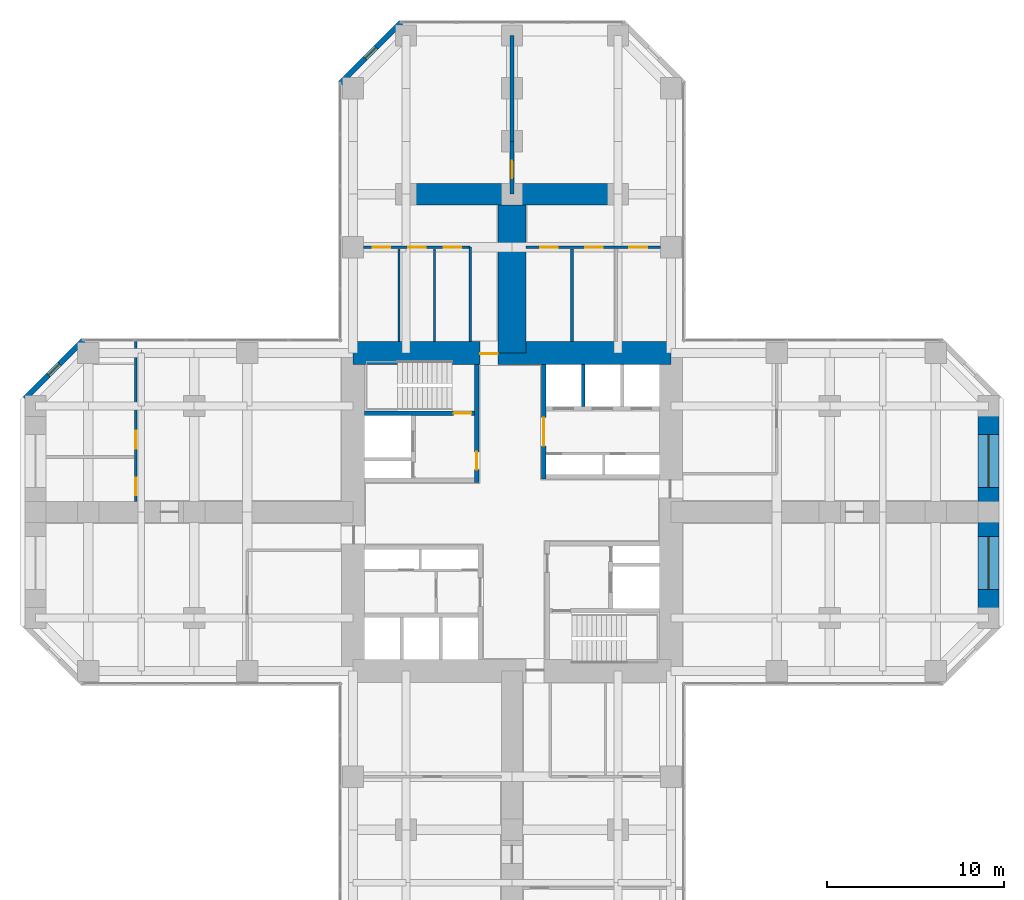
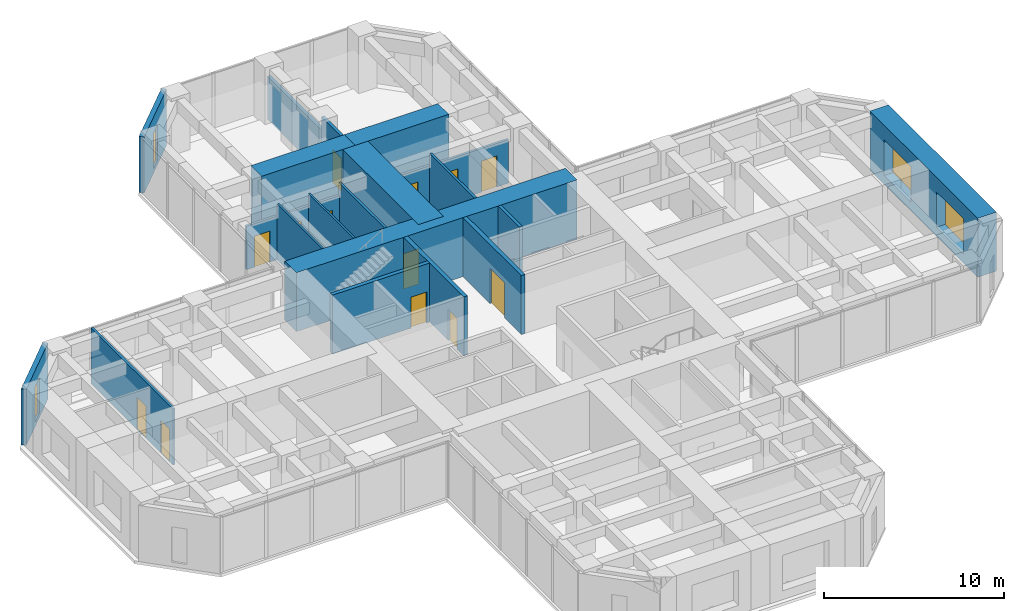
# One storey, part 10 of 12: 20 walls, 13 doors, 4 windows, 17 openings.
"""IFC4 building model written with IfcOpenShell, lengths in metres."""

from ifc_helpers import new_model, si_unit, direction, frame, frame_2d, origin, place, context, subcontext, project, spatial, rectangle, hollow_rectangle, extrude, material, layer, layer_set, constituent, constituent_set, type_object, element, fill, save


model = new_model("IFC4")

# Units and contexts
model_context = context("Model", 3, precision=1e-05, world=origin(), true_north=direction((0.0, 1.0)))
body_context = subcontext(model_context, "Body", "Model", "MODEL_VIEW")
ifc_project = project(units=[si_unit("LENGTHUNIT", "METRE"), si_unit("AREAUNIT", "SQUARE_METRE"), si_unit("VOLUMEUNIT", "CUBIC_METRE"), si_unit("PLANEANGLEUNIT", "RADIAN"), si_unit("MASSUNIT", "GRAM", prefix="KILO")], contexts=[model_context])

# Site, building, storey
site_placement = place(None, origin())
site = spatial("IfcSite", under=ifc_project, at=site_placement, CompositionType="ELEMENT")
building_placement = place(site_placement, origin())
building = spatial("IfcBuilding", under=site, at=building_placement, Name="Torre Cruceta", CompositionType="ELEMENT")
storey_placement = place(building_placement, frame((0.0, 0.0, 71.5)))
storey = spatial("IfcBuildingStorey", under=building, at=storey_placement, Name="L17", CompositionType="ELEMENT", Elevation=71.5)

# Wall, opening, door
ifc_material_1 = material(Name="Concrete G60 (fck 60 MPa)", Category="concrete")
ifc_layer_1 = layer(ifc_material_1, 0.25)
ifc_layer_set_1 = layer_set([ifc_layer_1], Name="Concrete G60 (fck 60 MPa)")
wall_type_1 = type_object("IfcWallType", Name="CORE INNER WALL 250 G60", PredefinedType="SHEAR", material=ifc_layer_set_1)
wall_1_placement = place(storey_placement, frame((1.800048828125, 1.875, 0.0), z_axis=(0.0, 0.0, 1.0), x_axis=(0.0, 1.0, 0.0)))
wall_1 = element("IfcWall", 1, at=wall_1_placement, inside=storey, type_object=wall_type_1, Name="CW4 L17 NE-CU", PredefinedType="SHEAR", context=body_context, shape_type="SweptSolid", body=[
    extrude(rectangle(XDim=6.47509765625, YDim=0.25, at=frame_2d((3.237548828125, 0.0))), origin(), (0.0, 0.0, 1.0), 4.0),
])
opening_1_placement = place(wall_1_placement, frame((1.875, 0.0, 0.0)))
opening_1 = element("IfcOpeningElement", 2, at=opening_1_placement, cuts=wall_1, Name="Opening D8", PredefinedType="OPENING", context=body_context, shape_type="SweptSolid", body=[
    extrude(rectangle(XDim=1.60009765625, YDim=2.39990234375, at=frame_2d((0.800048828125, 1.199951171875))), frame((0.0, 0.135009765625, 0.0), z_axis=(0.0, -1.0, 0.0), x_axis=(1.0, 0.0, 0.0)), (0.0, 0.0, 1.0), 0.27001953125),
])
ifc_material_2 = material(Name="Steel DX51D", Category="steel")
ifc_constituent_1 = constituent(ifc_material_2, Name="Leaf and frame")
ifc_material_3 = material(Name="Polyester powder coating", Category="paint")
ifc_constituent_2 = constituent(ifc_material_3, Name="Finish")
ifc_material_4 = material(Name="Fire-resisting glass", Category="glass")
ifc_constituent_3 = constituent(ifc_material_4, Name="Vision panel")
ifc_constituent_set_1 = constituent_set(constituents=[ifc_constituent_1, ifc_constituent_2, ifc_constituent_3], Name="Steel fire door with vision panels")
door_type_1 = type_object("IfcDoorType", Name="LIFT LOBBY DOUBLE DOOR 1600X2400", OperationType="DOUBLE_DOOR_DOUBLE_SWING", PredefinedType="DOOR", material=ifc_constituent_set_1)
door_1_placement = place(opening_1_placement, origin())
door_1 = element("IfcDoor", 3, at=door_1_placement, inside=storey, type_object=door_type_1, Name="D8 L17 NE-LOBBY", OperationType="DOUBLE_DOOR_DOUBLE_SWING", OverallHeight=2.39990234375, OverallWidth=1.60009765625, PredefinedType="DOOR", context=body_context, shape_type="SweptSolid", body=[
    extrude(rectangle(XDim=1.60009765625, YDim=2.39990234375, at=frame_2d((0.800048828125, 1.199951171875))), frame((0.0, 0.02490234375, 0.0), z_axis=(0.0, -1.0, 0.0), x_axis=(1.0, 0.0, 0.0)), (0.0, 0.0, 1.0), 0.050048828125),
])
fill(opening_1, door_1)

wall_2_placement = place(storey_placement, frame((-2.0, 1.675048828125, 0.0), z_axis=(0.0, 0.0, 1.0), x_axis=(0.0, 1.0, 0.0)))
wall_2 = element("IfcWall", 4, at=wall_2_placement, inside=storey, type_object=wall_type_1, Name="CW4 L17 NW-CU", PredefinedType="SHEAR", context=body_context, shape_type="SweptSolid", body=[
    extrude(rectangle(XDim=6.675048828125, YDim=0.25, at=frame_2d((3.33740234375, 0.0))), origin(), (0.0, 0.0, 1.0), 4.0),
])
opening_2_placement = place(wall_2_placement, frame((0.72509765625, 0.0, 0.0)))
opening_2 = element("IfcOpeningElement", 5, at=opening_2_placement, cuts=wall_2, Name="Opening D3", PredefinedType="OPENING", context=body_context, shape_type="SweptSolid", body=[
    extrude(rectangle(XDim=1.0, YDim=2.10009765625, at=frame_2d((0.5, 1.050048828125))), frame((0.0, 0.135009765625, 0.0), z_axis=(0.0, -1.0, 0.0), x_axis=(1.0, 0.0, 0.0)), (0.0, 0.0, 1.0), 0.27001953125),
])
ifc_material_5 = material(Name="Steel DX51D", Category="steel")
ifc_constituent_4 = constituent(ifc_material_5, Name="Leaf and frame")
ifc_material_6 = material(Name="Polyester powder coating", Category="paint")
ifc_constituent_5 = constituent(ifc_material_6, Name="Finish")
ifc_constituent_set_2 = constituent_set(constituents=[ifc_constituent_4, ifc_constituent_5], Name="Steel fire door")
door_type_2 = type_object("IfcDoorType", Name="FIRE DOOR 1000X2100", OperationType="SINGLE_SWING_LEFT", PredefinedType="DOOR", material=ifc_constituent_set_2)
door_2_placement = place(opening_2_placement, origin())
door_2 = element("IfcDoor", 6, at=door_2_placement, inside=storey, type_object=door_type_2, Name="D3 L17 NW-LOBBY", OperationType="SINGLE_SWING_LEFT", OverallHeight=2.10009765625, OverallWidth=1.0, PredefinedType="DOOR", context=body_context, shape_type="SweptSolid", body=[
    extrude(rectangle(XDim=1.0, YDim=2.10009765625, at=frame_2d((0.5, 1.050048828125))), frame((0.0, 0.02490234375, 0.0), z_axis=(0.0, -1.0, 0.0), x_axis=(1.0, 0.0, 0.0)), (0.0, 0.0, 1.0), 0.050048828125),
])
fill(opening_2, door_2)

wall_3_placement = place(storey_placement, frame((-2.125, 5.60009765625, 0.0), z_axis=(0.0, 0.0, 1.0), x_axis=(-1.0, 0.0, 0.0)))
wall_3 = element("IfcWall", 7, at=wall_3_placement, inside=storey, type_object=wall_type_1, Name="CW4 L17 NW-SV", PredefinedType="SHEAR", context=body_context, shape_type="SweptSolid", body=[
    extrude(rectangle(XDim=6.22509765625, YDim=0.25, at=frame_2d((3.112548828125, 0.0))), origin(), (0.0, 0.0, 1.0), 4.0),
])
opening_3_placement = place(wall_3_placement, frame((0.175048828125, 0.0, 0.0)))
opening_3 = element("IfcOpeningElement", 8, at=opening_3_placement, cuts=wall_3, Name="Opening D3", PredefinedType="OPENING", context=body_context, shape_type="SweptSolid", body=[
    extrude(rectangle(XDim=1.0, YDim=2.10009765625, at=frame_2d((0.5, 1.050048828125))), frame((0.0, 0.135009765625, 0.0), z_axis=(0.0, -1.0, 0.0), x_axis=(1.0, 0.0, 0.0)), (0.0, 0.0, 1.0), 0.27001953125),
])
door_3_placement = place(opening_3_placement, frame((1.0, 0.0, 0.0), z_axis=(0.0, 0.0, 1.0), x_axis=(-1.0, 0.0, 0.0)))
door_3 = element("IfcDoor", 9, at=door_3_placement, inside=storey, type_object=door_type_2, Name="D3 L17 NW-STAIR", OperationType="SINGLE_SWING_RIGHT", OverallHeight=2.10009765625, OverallWidth=1.0, PredefinedType="DOOR", context=body_context, shape_type="SweptSolid", body=[
    extrude(rectangle(XDim=1.0, YDim=2.10009765625, at=frame_2d((0.5, 1.050048828125))), frame((0.0, 0.025146484375, 0.0), z_axis=(0.0, -1.0, 0.0), x_axis=(1.0, 0.0, 0.0)), (0.0, 0.0, 1.0), 0.050048828125),
])
fill(opening_3, door_3)

ifc_material_7 = material(Name="Concrete G60 (fck 60 MPa)", Category="concrete")
ifc_layer_2 = layer(ifc_material_7, 1.300048828125)
ifc_layer_set_2 = layer_set([ifc_layer_2], Name="Concrete G60 (fck 60 MPa)")
wall_type_2 = type_object("IfcWallType", Name="CORE WALL 1300 G60", PredefinedType="SHEAR", material=ifc_layer_set_2)
wall_4_placement = place(storey_placement, frame((9.0, 9.0, 0.0), z_axis=(0.0, 0.0, 1.0), x_axis=(-1.0, 0.0, 0.0)))
wall_4 = element("IfcWall", 10, at=wall_4_placement, inside=storey, type_object=wall_type_2, Name="CW1 L17 CW-N", PredefinedType="SHEAR", context=body_context, shape_type="SweptSolid", body=[
    extrude(rectangle(XDim=18.0, YDim=1.300048828125, at=frame_2d((9.0, 0.0))), origin(), (0.0, 0.0, 1.0), 4.0),
])
opening_4_placement = place(wall_4_placement, frame((9.800048828125, 0.0, 0.0)))
opening_4 = element("IfcOpeningElement", 11, at=opening_4_placement, cuts=wall_4, Name="Opening D4", PredefinedType="OPENING", context=body_context, shape_type="SweptSolid", body=[
    extrude(rectangle(XDim=1.0, YDim=2.39990234375, at=frame_2d((0.5, 1.199951171875))), frame((0.0, 0.659912109375, 0.0), z_axis=(0.0, -1.0, 0.0), x_axis=(1.0, 0.0, 0.0)), (0.0, 0.0, 1.0), 1.320068359375),
])
ifc_material_8 = material(Name="Steel DX51D", Category="steel")
ifc_constituent_6 = constituent(ifc_material_8, Name="Leaf and frame")
ifc_material_9 = material(Name="Polyester powder coating", Category="paint")
ifc_constituent_7 = constituent(ifc_material_9, Name="Finish")
ifc_constituent_set_3 = constituent_set(constituents=[ifc_constituent_6, ifc_constituent_7], Name="Steel fire door")
door_type_3 = type_object("IfcDoorType", Name="CORE ARM DOOR 1000X2400", OperationType="SINGLE_SWING_RIGHT", PredefinedType="DOOR", material=ifc_constituent_set_3)
door_4_placement = place(opening_4_placement, frame((1.0, 0.0, 0.0), z_axis=(0.0, 0.0, 1.0), x_axis=(-1.0, 0.0, 0.0)))
door_4 = element("IfcDoor", 12, at=door_4_placement, inside=storey, type_object=door_type_3, Name="D4 L17 CW-N", OperationType="SINGLE_SWING_RIGHT", OverallHeight=2.39990234375, OverallWidth=1.0, PredefinedType="DOOR", context=body_context, shape_type="SweptSolid", body=[
    extrude(rectangle(XDim=1.0, YDim=2.39990234375, at=frame_2d((0.5, 1.199951171875))), frame((0.0, -0.005126953125, 0.0), z_axis=(0.0, -1.0, 0.0), x_axis=(1.0, 0.0, 0.0)), (0.0, 0.0, 1.0), 0.050048828125),
])
fill(opening_4, door_4)

ifc_material_10 = material(Name="Concrete G25 (fck 25 MPa)", Category="concrete")
ifc_layer_3 = layer(ifc_material_10, 0.199951171875)
ifc_layer_set_3 = layer_set([ifc_layer_3], Name="Concrete G25 (fck 25 MPa)")
wall_type_3 = type_object("IfcWallType", Name="CORRIDOR WALL 200", PredefinedType="SOLIDWALL", material=ifc_layer_set_3)
wall_5_placement = place(storey_placement, frame((0.0, 18.0, 0.0), z_axis=(0.0, 0.0, 1.0), x_axis=(0.0, 1.0, 0.0)))
wall_5 = element("IfcWall", 13, at=wall_5_placement, inside=storey, type_object=wall_type_3, Name="PT3 spine line L17 N", PredefinedType="SOLIDWALL", context=body_context, shape_type="SweptSolid", body=[
    extrude(rectangle(XDim=3.0, YDim=0.199951171875, at=frame_2d((1.5, 0.0))), origin(), (0.0, 0.0, 1.0), 3.800048828125),
])
opening_5_placement = place(wall_5_placement, frame((0.89990234375, 0.0, 0.0)))
opening_5 = element("IfcOpeningElement", 14, at=opening_5_placement, cuts=wall_5, Name="Opening D14", PredefinedType="OPENING", context=body_context, shape_type="SweptSolid", body=[
    extrude(rectangle(XDim=1.0, YDim=2.199951171875, at=frame_2d((0.5, 1.10009765625))), frame((0.0, 0.10986328125, 0.0), z_axis=(0.0, -1.0, 0.0), x_axis=(1.0, 0.0, 0.0)), (0.0, 0.0, 1.0), 0.219970703125),
])
ifc_material_11 = material(Name="Steel DX51D", Category="steel")
ifc_constituent_8 = constituent(ifc_material_11, Name="Leaf and frame")
ifc_material_12 = material(Name="Polyester powder coating", Category="paint")
ifc_constituent_9 = constituent(ifc_material_12, Name="Finish")
ifc_material_13 = material(Name="Fire-resisting glass", Category="glass")
ifc_constituent_10 = constituent(ifc_material_13, Name="Vision panel")
ifc_constituent_set_4 = constituent_set(constituents=[ifc_constituent_8, ifc_constituent_9, ifc_constituent_10], Name="Steel fire door with vision panel")
door_type_4 = type_object("IfcDoorType", Name="FIRE DOOR VISION PANEL 1000X2200", OperationType="SINGLE_SWING_RIGHT", PredefinedType="DOOR", material=ifc_constituent_set_4)
door_5_placement = place(opening_5_placement, frame((1.0, 0.0, 0.0), z_axis=(0.0, 0.0, 1.0), x_axis=(-1.0, 0.0, 0.0)))
door_5 = element("IfcDoor", 15, at=door_5_placement, inside=storey, type_object=door_type_4, Name="D14 L17-N-SP1", OperationType="SINGLE_SWING_RIGHT", OverallHeight=2.199951171875, OverallWidth=1.0, PredefinedType="DOOR", context=body_context, shape_type="SweptSolid", body=[
    extrude(rectangle(XDim=1.0, YDim=2.199951171875, at=frame_2d((0.5, 1.10009765625))), frame((0.0, 0.025146484375, 0.0), z_axis=(0.0, -1.0, 0.0), x_axis=(1.0, 0.0, 0.0)), (0.0, 0.0, 1.0), 0.050048828125),
])
fill(opening_5, door_5)

# Walls
wall_6_placement = place(storey_placement, frame((0.0, 21.0, 0.0), z_axis=(0.0, 0.0, 1.0), x_axis=(0.0, 1.0, 0.0)))
element("IfcWall", 16, at=wall_6_placement, inside=storey, type_object=wall_type_3, Name="PT3 spine line L17 N 2", PredefinedType="SOLIDWALL", context=body_context, shape_type="SweptSolid", body=[
    extrude(rectangle(XDim=6.0, YDim=0.199951171875, at=frame_2d((3.0, 0.0))), origin(), (0.0, 0.0, 1.0), 2.89990234375),
])
ifc_material_14 = material(Name="Concrete G60 (fck 60 MPa)", Category="concrete")
ifc_layer_4 = layer(ifc_material_14, 1.199951171875)
ifc_layer_set_4 = layer_set([ifc_layer_4], Name="Concrete G60 (fck 60 MPa)")
wall_type_4 = type_object("IfcWallType", Name="CROSS WALL 1200 G60", PredefinedType="SHEAR", material=ifc_layer_set_4)
for number, where, z_axis, x_axis, name in (
    (17, (0.0, 18.0, 0.0), (0.0, 0.0, 1.0), (-1.0, 0.0, 0.0), "XW1 cross wall L17 N L"),
    (18, (0.0, 18.0, 0.0), (0.0, 0.0, 1.0), (1.0, 0.0, 0.0), "XW1 cross wall L17 N R"),
):
    element("IfcWall", number, at=place(storey_placement, frame(where, z_axis=z_axis, x_axis=x_axis)), inside=storey, type_object=wall_type_4, Name=name, PredefinedType="SHEAR", context=body_context, shape_type="SweptSolid", body=[
        extrude(rectangle(XDim=6.0, YDim=1.199951171875, at=frame_2d((3.0, 0.0))), origin(), (0.0, 0.0, 1.0), 4.0),
    ])

# Wall, opening, window
ifc_material_15 = material(Name="Concrete G30 (fck 30 MPa)", Category="concrete")
ifc_layer_5 = layer(ifc_material_15, 0.300048828125)
ifc_layer_set_5 = layer_set([ifc_layer_5], Name="Concrete G30 (fck 30 MPa)")
wall_type_5 = type_object("IfcWallType", Name="EXPOSED CONCRETE FACADE WALL 300", PredefinedType="SOLIDWALL", material=ifc_layer_set_5)
wall_7_placement = place(storey_placement, frame((-6.29833984375, 27.719970703125, 0.0), z_axis=(0.0, 0.0, 1.0), x_axis=(-0.707106781187, -0.707106781187, 0.0)))
wall_7 = element("IfcWall", 19, at=wall_7_placement, inside=storey, type_object=wall_type_5, Name="EW1 facade wall L17 N chamfer 08", PredefinedType="SOLIDWALL", context=body_context, shape_type="SweptSolid", body=[
    extrude(rectangle(XDim=4.8388671875, YDim=0.300048828125, at=frame_2d((2.41943359375, 0.0))), origin(), (0.0, 0.0, 1.0), 3.800048828125),
])
opening_6_placement = place(wall_7_placement, frame((1.969482421875, 0.0, 0.300048828125)))
opening_6 = element("IfcOpeningElement", 20, at=opening_6_placement, cuts=wall_7, Name="Opening WN5", PredefinedType="OPENING", context=body_context, shape_type="SweptSolid", body=[
    extrude(rectangle(XDim=0.89990234375, YDim=2.39990234375, at=frame_2d((0.449951171875, 1.199951171875))), frame((0.0, 0.159912109375, 0.0), z_axis=(0.0, -1.0, 0.0), x_axis=(1.0, 0.0, 0.0)), (0.0, 0.0, 1.0), 0.320068359375),
])
ifc_material_16 = material(Name="Aluminium window frame", Category="aluminium")
ifc_constituent_11 = constituent(ifc_material_16, Name="Frame")
ifc_material_17 = material(Name="Laminated insulating glass unit, low-iron clear", Category="glass")
ifc_constituent_12 = constituent(ifc_material_17, Name="Glazing")
ifc_constituent_set_5 = constituent_set(constituents=[ifc_constituent_11, ifc_constituent_12], Name="Aluminium window")
window_type_1 = type_object("IfcWindowType", Name="CHAMFER SLOT WINDOW 900X2400", PartitioningType="SINGLE_PANEL", PredefinedType="WINDOW", material=ifc_constituent_set_5)
window_1_placement = place(opening_6_placement, origin())
window_1 = element("IfcWindow", 21, at=window_1_placement, inside=storey, type_object=window_type_1, Name="WN5 L17 N 1", OverallHeight=2.39990234375, OverallWidth=0.89990234375, PartitioningType="SINGLE_PANEL", PredefinedType="WINDOW", context=body_context, shape_type="SweptSolid", body=[
    extrude(hollow_rectangle(XDim=0.89990234375, YDim=2.39990234375, WallThickness=0.06005859375, at=frame_2d((0.449951171875, 1.199951171875))), frame((0.0, 0.030029296875, 0.0), z_axis=(0.0, -1.0, 0.0), x_axis=(1.0, 0.0, 0.0)), (0.0, 0.0, 1.0), 0.06005859375),
    extrude(rectangle(XDim=0.77880859375, YDim=2.27880859375, at=frame_2d((0.449951171875, 1.199951171875))), frame((0.0, 0.030029296875, 0.0), z_axis=(0.0, -1.0, 0.0), x_axis=(1.0, 0.0, 0.0)), (0.0, 0.0, 1.0), 0.06005859375),
])
fill(opening_6, window_1)

wall_8_placement = place(storey_placement, frame((-24.29833984375, 9.719970703125, 0.0), z_axis=(0.0, 0.0, 1.0), x_axis=(-0.707106781187, -0.707106781187, 0.0)))
wall_8 = element("IfcWall", 22, at=wall_8_placement, inside=storey, type_object=wall_type_5, Name="EW1 facade wall L17 W chamfer 11", PredefinedType="SOLIDWALL", context=body_context, shape_type="SweptSolid", body=[
    extrude(rectangle(XDim=4.66943359375, YDim=0.300048828125, at=frame_2d((2.334716796875, 0.0))), origin(), (0.0, 0.0, 1.0), 3.800048828125),
])
opening_7_placement = place(wall_8_placement, frame((1.884765625, 0.0, 0.300048828125)))
opening_7 = element("IfcOpeningElement", 23, at=opening_7_placement, cuts=wall_8, Name="Opening WN5", PredefinedType="OPENING", context=body_context, shape_type="SweptSolid", body=[
    extrude(rectangle(XDim=0.89990234375, YDim=2.39990234375, at=frame_2d((0.449951171875, 1.199951171875))), frame((0.0, 0.159912109375, 0.0), z_axis=(0.0, -1.0, 0.0), x_axis=(1.0, 0.0, 0.0)), (0.0, 0.0, 1.0), 0.320068359375),
])
window_2_placement = place(opening_7_placement, origin())
window_2 = element("IfcWindow", 24, at=window_2_placement, inside=storey, type_object=window_type_1, Name="WN5 L17 W 1", OverallHeight=2.39990234375, OverallWidth=0.89990234375, PartitioningType="SINGLE_PANEL", PredefinedType="WINDOW", context=body_context, shape_type="SweptSolid", body=[
    extrude(hollow_rectangle(XDim=0.89990234375, YDim=2.39990234375, WallThickness=0.06005859375, at=frame_2d((0.449951171875, 1.199951171875))), frame((0.0, 0.030029296875, 0.0), z_axis=(0.0, -1.0, 0.0), x_axis=(1.0, 0.0, 0.0)), (0.0, 0.0, 1.0), 0.06005859375),
    extrude(rectangle(XDim=0.77880859375, YDim=2.27880859375, at=frame_2d((0.449951171875, 1.199951171875))), frame((0.0, 0.030029296875, 0.0), z_axis=(0.0, -1.0, 0.0), x_axis=(1.0, 0.0, 0.0)), (0.0, 0.0, 1.0), 0.06005859375),
])
fill(opening_7, window_2)

# Wall
ifc_material_18 = material(Name="Concrete G35 (fck 35 MPa)", Category="concrete")
ifc_layer_6 = layer(ifc_material_18, 0.199951171875)
ifc_layer_set_6 = layer_set([ifc_layer_6], Name="Concrete G35 (fck 35 MPa)")
wall_type_6 = type_object("IfcWallType", Name="LIFT SHAFT WALL 200", PredefinedType="PARTITIONING", material=ifc_layer_set_6)
wall_9_placement = place(storey_placement, frame((4.033447265625, 5.97509765625, 0.0), z_axis=(0.0, 0.0, 1.0), x_axis=(0.0, 1.0, 0.0)))
element("IfcWall", 25, at=wall_9_placement, inside=storey, type_object=wall_type_6, Name="SW1 L17 NE-LS1", PredefinedType="PARTITIONING", context=body_context, shape_type="SweptSolid", body=[
    extrude(rectangle(XDim=2.375, YDim=0.199951171875, at=frame_2d((1.1875, 0.0))), origin(), (0.0, 0.0, 1.0), 4.0),
])

# Wall, openings, windows
ifc_material_19 = material(Name="Concrete G60 (fck 60 MPa)", Category="concrete")
ifc_layer_7 = layer(ifc_material_19, 1.199951171875)
ifc_layer_set_7 = layer_set([ifc_layer_7], Name="Concrete G60 (fck 60 MPa)")
wall_type_7 = type_object("IfcWallType", Name="NOSE WALL 1200 G60", PredefinedType="SHEAR", material=ifc_layer_set_7)
wall_10_placement = place(storey_placement, frame((27.0, -6.0, 0.0), z_axis=(0.0, 0.0, 1.0), x_axis=(0.0, 1.0, 0.0)))
wall_10 = element("IfcWall", 26, at=wall_10_placement, inside=storey, type_object=wall_type_7, Name="NW1 nose wall L17 E", PredefinedType="SHEAR", context=body_context, shape_type="SweptSolid", body=[
    extrude(rectangle(XDim=12.0, YDim=1.199951171875, at=frame_2d((6.0, 0.0))), origin(), (0.0, 0.0, 1.0), 4.0),
])
opening_8_placement = place(wall_10_placement, frame((1.60009765625, 0.0, 0.60009765625)))
opening_8 = element("IfcOpeningElement", 27, at=opening_8_placement, cuts=wall_10, Name="Opening WN6", PredefinedType="OPENING", context=body_context, shape_type="SweptSolid", body=[
    extrude(rectangle(XDim=3.0, YDim=2.39990234375, at=frame_2d((1.5, 1.199951171875))), frame((0.0, 0.60986328125, 0.0), z_axis=(0.0, -1.0, 0.0), x_axis=(1.0, 0.0, 0.0)), (0.0, 0.0, 1.0), 1.219970703125),
])
opening_9_placement = place(wall_10_placement, frame((7.39990234375, 0.0, 0.60009765625)))
opening_9 = element("IfcOpeningElement", 28, at=opening_9_placement, cuts=wall_10, Name="Opening WN6", PredefinedType="OPENING", context=body_context, shape_type="SweptSolid", body=[
    extrude(rectangle(XDim=3.0, YDim=2.39990234375, at=frame_2d((1.5, 1.199951171875))), frame((0.0, 0.60986328125, 0.0), z_axis=(0.0, -1.0, 0.0), x_axis=(1.0, 0.0, 0.0)), (0.0, 0.0, 1.0), 1.219970703125),
])
ifc_material_20 = material(Name="Aluminium window frame", Category="aluminium")
ifc_constituent_13 = constituent(ifc_material_20, Name="Frame")
ifc_material_21 = material(Name="Laminated insulating glass unit, low-iron clear", Category="glass")
ifc_constituent_14 = constituent(ifc_material_21, Name="Glazing")
ifc_constituent_set_6 = constituent_set(constituents=[ifc_constituent_13, ifc_constituent_14], Name="Aluminium window")
window_type_2 = type_object("IfcWindowType", Name="NOSE WALL WINDOW 3000X2400", PartitioningType="SINGLE_PANEL", PredefinedType="WINDOW", material=ifc_constituent_set_6)
window_3_placement = place(opening_8_placement, origin())
window_3 = element("IfcWindow", 29, at=window_3_placement, inside=storey, type_object=window_type_2, Name="WN6 L17 E 1", OverallHeight=2.39990234375, OverallWidth=3.0, PartitioningType="SINGLE_PANEL", PredefinedType="WINDOW", context=body_context, shape_type="SweptSolid", body=[
    extrude(hollow_rectangle(XDim=3.0, YDim=2.39990234375, WallThickness=0.06005859375, at=frame_2d((1.5, 1.199951171875))), frame((0.0, 0.030029296875, 0.0), z_axis=(0.0, -1.0, 0.0), x_axis=(1.0, 0.0, 0.0)), (0.0, 0.0, 1.0), 0.06005859375),
    extrude(rectangle(XDim=2.87890625, YDim=2.27880859375, at=frame_2d((1.5, 1.199951171875))), frame((0.0, 0.030029296875, 0.0), z_axis=(0.0, -1.0, 0.0), x_axis=(1.0, 0.0, 0.0)), (0.0, 0.0, 1.0), 0.06005859375),
])
fill(opening_8, window_3)
window_4_placement = place(opening_9_placement, origin())
window_4 = element("IfcWindow", 30, at=window_4_placement, inside=storey, type_object=window_type_2, Name="WN6 L17 E 2", OverallHeight=2.39990234375, OverallWidth=3.0, PartitioningType="SINGLE_PANEL", PredefinedType="WINDOW", context=body_context, shape_type="SweptSolid", body=[
    extrude(hollow_rectangle(XDim=3.0, YDim=2.39990234375, WallThickness=0.06005859375, at=frame_2d((1.5, 1.199951171875))), frame((0.0, 0.030029296875, 0.0), z_axis=(0.0, -1.0, 0.0), x_axis=(1.0, 0.0, 0.0)), (0.0, 0.0, 1.0), 0.06005859375),
    extrude(rectangle(XDim=2.87890625, YDim=2.27880859375, at=frame_2d((1.5, 1.199951171875))), frame((0.0, 0.030029296875, 0.0), z_axis=(0.0, -1.0, 0.0), x_axis=(1.0, 0.0, 0.0)), (0.0, 0.0, 1.0), 0.06005859375),
])
fill(opening_9, window_4)

# Wall, openings, doors
ifc_material_22 = material(Name="Plasterboard on steel studs", Category="steel")
ifc_layer_8 = layer(ifc_material_22, 0.14990234375)
ifc_layer_set_8 = layer_set([ifc_layer_8], Name="Plasterboard on steel studs")
wall_type_8 = type_object("IfcWallType", Name="PARTITION 150", PredefinedType="PARTITIONING", material=ifc_layer_set_8)
wall_11_placement = place(storey_placement, frame((-2.375, 15.0, 0.0), z_axis=(0.0, 0.0, 1.0), x_axis=(-1.0, 0.0, 0.0)))
wall_11 = element("IfcWall", 31, at=wall_11_placement, inside=storey, type_object=wall_type_8, Name="PT1 L17-N-BFL", PredefinedType="PARTITIONING", context=body_context, shape_type="SweptSolid", body=[
    extrude(rectangle(XDim=6.02490234375, YDim=0.14990234375, at=frame_2d((3.012451171875, 0.0))), origin(), (0.0, 0.0, 1.0), 2.949951171875),
])
opening_10_placement = place(wall_11_placement, frame((0.504150390625, 0.0, 0.0)))
opening_10 = element("IfcOpeningElement", 32, at=opening_10_placement, cuts=wall_11, Name="Opening D3", PredefinedType="OPENING", context=body_context, shape_type="SweptSolid", body=[
    extrude(rectangle(XDim=1.0, YDim=2.10009765625, at=frame_2d((0.5, 1.050048828125))), frame((0.0, 0.0849609375, 0.0), z_axis=(0.0, -1.0, 0.0), x_axis=(1.0, 0.0, 0.0)), (0.0, 0.0, 1.0), 0.169921875),
])
opening_11_placement = place(wall_11_placement, frame((2.512451171875, 0.0, 0.0)))
opening_11 = element("IfcOpeningElement", 33, at=opening_11_placement, cuts=wall_11, Name="Opening D3", PredefinedType="OPENING", context=body_context, shape_type="SweptSolid", body=[
    extrude(rectangle(XDim=1.0, YDim=2.10009765625, at=frame_2d((0.5, 1.050048828125))), frame((0.0, 0.0849609375, 0.0), z_axis=(0.0, -1.0, 0.0), x_axis=(1.0, 0.0, 0.0)), (0.0, 0.0, 1.0), 0.169921875),
])
opening_12_placement = place(wall_11_placement, frame((4.520751953125, 0.0, 0.0)))
opening_12 = element("IfcOpeningElement", 34, at=opening_12_placement, cuts=wall_11, Name="Opening D3", PredefinedType="OPENING", context=body_context, shape_type="SweptSolid", body=[
    extrude(rectangle(XDim=1.0, YDim=2.10009765625, at=frame_2d((0.5, 1.050048828125))), frame((0.0, 0.0849609375, 0.0), z_axis=(0.0, -1.0, 0.0), x_axis=(1.0, 0.0, 0.0)), (0.0, 0.0, 1.0), 0.169921875),
])
door_6_placement = place(opening_10_placement, origin())
door_6 = element("IfcDoor", 35, at=door_6_placement, inside=storey, type_object=door_type_2, Name="D3 L17-N-BFL-D1", OperationType="SINGLE_SWING_LEFT", OverallHeight=2.10009765625, OverallWidth=1.0, PredefinedType="DOOR", context=body_context, shape_type="SweptSolid", body=[
    extrude(rectangle(XDim=1.0, YDim=2.10009765625, at=frame_2d((0.5, 1.050048828125))), frame((0.0, 0.02490234375, 0.0), z_axis=(0.0, -1.0, 0.0), x_axis=(1.0, 0.0, 0.0)), (0.0, 0.0, 1.0), 0.050048828125),
])
fill(opening_10, door_6)
door_7_placement = place(opening_11_placement, origin())
door_7 = element("IfcDoor", 36, at=door_7_placement, inside=storey, type_object=door_type_2, Name="D3 L17-N-BFL-D2", OperationType="SINGLE_SWING_LEFT", OverallHeight=2.10009765625, OverallWidth=1.0, PredefinedType="DOOR", context=body_context, shape_type="SweptSolid", body=[
    extrude(rectangle(XDim=1.0, YDim=2.10009765625, at=frame_2d((0.5, 1.050048828125))), frame((0.0, 0.02490234375, 0.0), z_axis=(0.0, -1.0, 0.0), x_axis=(1.0, 0.0, 0.0)), (0.0, 0.0, 1.0), 0.050048828125),
])
fill(opening_11, door_7)
door_8_placement = place(opening_12_placement, origin())
door_8 = element("IfcDoor", 37, at=door_8_placement, inside=storey, type_object=door_type_2, Name="D3 L17-N-BFL-D3", OperationType="SINGLE_SWING_LEFT", OverallHeight=2.10009765625, OverallWidth=1.0, PredefinedType="DOOR", context=body_context, shape_type="SweptSolid", body=[
    extrude(rectangle(XDim=1.0, YDim=2.10009765625, at=frame_2d((0.5, 1.050048828125))), frame((0.0, 0.02490234375, 0.0), z_axis=(0.0, -1.0, 0.0), x_axis=(1.0, 0.0, 0.0)), (0.0, 0.0, 1.0), 0.050048828125),
])
fill(opening_12, door_8)

# Wall
wall_12_placement = place(storey_placement, frame((-2.375, 9.64990234375, 0.0), z_axis=(0.0, 0.0, 1.0), x_axis=(0.0, 1.0, 0.0)))
element("IfcWall", 38, at=wall_12_placement, inside=storey, type_object=wall_type_8, Name="PT1 L17-N-BSL", PredefinedType="PARTITIONING", context=body_context, shape_type="SweptSolid", body=[
    extrude(rectangle(XDim=5.35009765625, YDim=0.14990234375, at=frame_2d((2.675048828125, 0.0))), origin(), (0.0, 0.0, 1.0), 3.800048828125),
])

# Wall, openings, doors
wall_13_placement = place(storey_placement, frame((8.39990234375, 15.0, 0.0), z_axis=(0.0, 0.0, 1.0), x_axis=(-1.0, 0.0, 0.0)))
wall_13 = element("IfcWall", 39, at=wall_13_placement, inside=storey, type_object=wall_type_8, Name="PT1 L17-N-BFR", PredefinedType="PARTITIONING", context=body_context, shape_type="SweptSolid", body=[
    extrude(rectangle(XDim=7.599853515625, YDim=0.14990234375, at=frame_2d((3.7998046875, 0.0))), origin(), (0.0, 0.0, 1.0), 2.949951171875),
])
opening_13_placement = place(wall_13_placement, frame((0.75, 0.0, 0.0)))
opening_13 = element("IfcOpeningElement", 40, at=opening_13_placement, cuts=wall_13, Name="Opening D3", PredefinedType="OPENING", context=body_context, shape_type="SweptSolid", body=[
    extrude(rectangle(XDim=1.0, YDim=2.10009765625, at=frame_2d((0.5, 1.050048828125))), frame((0.0, 0.0849609375, 0.0), z_axis=(0.0, -1.0, 0.0), x_axis=(1.0, 0.0, 0.0)), (0.0, 0.0, 1.0), 0.169921875),
])
opening_14_placement = place(wall_13_placement, frame((3.25, 0.0, 0.0)))
opening_14 = element("IfcOpeningElement", 41, at=opening_14_placement, cuts=wall_13, Name="Opening D3", PredefinedType="OPENING", context=body_context, shape_type="SweptSolid", body=[
    extrude(rectangle(XDim=1.0, YDim=2.10009765625, at=frame_2d((0.5, 1.050048828125))), frame((0.0, 0.0849609375, 0.0), z_axis=(0.0, -1.0, 0.0), x_axis=(1.0, 0.0, 0.0)), (0.0, 0.0, 1.0), 0.169921875),
])
opening_15_placement = place(wall_13_placement, frame((5.800048828125, 0.0, 0.0)))
opening_15 = element("IfcOpeningElement", 42, at=opening_15_placement, cuts=wall_13, Name="Opening D3", PredefinedType="OPENING", context=body_context, shape_type="SweptSolid", body=[
    extrude(rectangle(XDim=1.0, YDim=2.10009765625, at=frame_2d((0.5, 1.050048828125))), frame((0.0, 0.0849609375, 0.0), z_axis=(0.0, -1.0, 0.0), x_axis=(1.0, 0.0, 0.0)), (0.0, 0.0, 1.0), 0.169921875),
])
door_9_placement = place(opening_13_placement, origin())
door_9 = element("IfcDoor", 43, at=door_9_placement, inside=storey, type_object=door_type_2, Name="D3 L17-N-BFR-D1", OperationType="SINGLE_SWING_RIGHT", OverallHeight=2.10009765625, OverallWidth=1.0, PredefinedType="DOOR", context=body_context, shape_type="SweptSolid", body=[
    extrude(rectangle(XDim=1.0, YDim=2.10009765625, at=frame_2d((0.5, 1.050048828125))), frame((0.0, 0.02490234375, 0.0), z_axis=(0.0, -1.0, 0.0), x_axis=(1.0, 0.0, 0.0)), (0.0, 0.0, 1.0), 0.050048828125),
])
fill(opening_13, door_9)
door_10_placement = place(opening_14_placement, origin())
door_10 = element("IfcDoor", 44, at=door_10_placement, inside=storey, type_object=door_type_2, Name="D3 L17-N-BFR-D2", OperationType="SINGLE_SWING_LEFT", OverallHeight=2.10009765625, OverallWidth=1.0, PredefinedType="DOOR", context=body_context, shape_type="SweptSolid", body=[
    extrude(rectangle(XDim=1.0, YDim=2.10009765625, at=frame_2d((0.5, 1.050048828125))), frame((0.0, 0.02490234375, 0.0), z_axis=(0.0, -1.0, 0.0), x_axis=(1.0, 0.0, 0.0)), (0.0, 0.0, 1.0), 0.050048828125),
])
fill(opening_14, door_10)
door_11_placement = place(opening_15_placement, origin())
door_11 = element("IfcDoor", 45, at=door_11_placement, inside=storey, type_object=door_type_2, Name="D3 L17-N-BFR-D3", OperationType="SINGLE_SWING_LEFT", OverallHeight=2.10009765625, OverallWidth=1.0, PredefinedType="DOOR", context=body_context, shape_type="SweptSolid", body=[
    extrude(rectangle(XDim=1.0, YDim=2.10009765625, at=frame_2d((0.5, 1.050048828125))), frame((0.0, 0.02490234375, 0.0), z_axis=(0.0, -1.0, 0.0), x_axis=(1.0, 0.0, 0.0)), (0.0, 0.0, 1.0), 0.050048828125),
])
fill(opening_15, door_11)

# Wall
wall_14_placement = place(storey_placement, frame((3.39990234375, 9.64990234375, 0.0), z_axis=(0.0, 0.0, 1.0), x_axis=(0.0, 1.0, 0.0)))
element("IfcWall", 46, at=wall_14_placement, inside=storey, type_object=wall_type_8, Name="PT1 L17-N-BDR1", PredefinedType="PARTITIONING", context=body_context, shape_type="SweptSolid", body=[
    extrude(rectangle(XDim=5.25, YDim=0.14990234375, at=frame_2d((2.625, 0.0))), origin(), (0.0, 0.0, 1.0), 3.800048828125),
])

# Wall, openings, doors
wall_15_placement = place(storey_placement, frame((-21.320068359375, 9.679931640625, 0.0), z_axis=(0.0, 0.0, 1.0), x_axis=(0.0, -1.0, 0.0)))
wall_15 = element("IfcWall", 47, at=wall_15_placement, inside=storey, type_object=wall_type_8, Name="PT1 L17-W-TWR", PredefinedType="PARTITIONING", context=body_context, shape_type="SweptSolid", body=[
    extrude(rectangle(XDim=9.079833984375, YDim=0.14990234375, at=frame_2d((4.5400390625, 0.0))), origin(), (0.0, 0.0, 1.0), 3.800048828125),
])
opening_16_placement = place(wall_15_placement, frame((5.0869140625, 0.0, 0.0)))
opening_16 = element("IfcOpeningElement", 48, at=opening_16_placement, cuts=wall_15, Name="Opening D14", PredefinedType="OPENING", context=body_context, shape_type="SweptSolid", body=[
    extrude(rectangle(XDim=1.0, YDim=2.199951171875, at=frame_2d((0.5, 1.10009765625))), frame((0.0, 0.0849609375, 0.0), z_axis=(0.0, -1.0, 0.0), x_axis=(1.0, 0.0, 0.0)), (0.0, 0.0, 1.0), 0.169921875),
])
opening_17_placement = place(wall_15_placement, frame((7.72998046875, 0.0, 0.0)))
opening_17 = element("IfcOpeningElement", 49, at=opening_17_placement, cuts=wall_15, Name="Opening D14", PredefinedType="OPENING", context=body_context, shape_type="SweptSolid", body=[
    extrude(rectangle(XDim=1.0, YDim=2.199951171875, at=frame_2d((0.5, 1.10009765625))), frame((0.0, 0.0849609375, 0.0), z_axis=(0.0, -1.0, 0.0), x_axis=(1.0, 0.0, 0.0)), (0.0, 0.0, 1.0), 0.169921875),
])
door_12_placement = place(opening_16_placement, frame((1.0, 0.0, 0.0), z_axis=(0.0, 0.0, 1.0), x_axis=(-1.0, 0.0, 0.0)))
door_12 = element("IfcDoor", 50, at=door_12_placement, inside=storey, type_object=door_type_4, Name="D14 L17-W-TWR-D1", OperationType="SINGLE_SWING_LEFT", OverallHeight=2.199951171875, OverallWidth=1.0, PredefinedType="DOOR", context=body_context, shape_type="SweptSolid", body=[
    extrude(rectangle(XDim=1.0, YDim=2.199951171875, at=frame_2d((0.5, 1.10009765625))), frame((0.0, 0.025146484375, 0.0), z_axis=(0.0, -1.0, 0.0), x_axis=(1.0, 0.0, 0.0)), (0.0, 0.0, 1.0), 0.050048828125),
])
fill(opening_16, door_12)
door_13_placement = place(opening_17_placement, frame((1.0, 0.0, 0.0), z_axis=(0.0, 0.0, 1.0), x_axis=(-1.0, 0.0, 0.0)))
door_13 = element("IfcDoor", 51, at=door_13_placement, inside=storey, type_object=door_type_4, Name="D14 L17-W-TWR-D2", OperationType="SINGLE_SWING_LEFT", OverallHeight=2.199951171875, OverallWidth=1.0, PredefinedType="DOOR", context=body_context, shape_type="SweptSolid", body=[
    extrude(rectangle(XDim=1.0, YDim=2.199951171875, at=frame_2d((0.5, 1.10009765625))), frame((0.0, 0.025146484375, 0.0), z_axis=(0.0, -1.0, 0.0), x_axis=(1.0, 0.0, 0.0)), (0.0, 0.0, 1.0), 0.050048828125),
])
fill(opening_17, door_13)

# Walls
ifc_material_23 = material(Name="Concrete G60 (fck 60 MPa)", Category="concrete")
ifc_layer_9 = layer(ifc_material_23, 1.60009765625)
ifc_layer_set_9 = layer_set([ifc_layer_9], Name="Concrete G60 (fck 60 MPa)")
wall_type_9 = type_object("IfcWallType", Name="SPINE WALL 1600 G60", PredefinedType="SHEAR", material=ifc_layer_set_9)
wall_16_placement = place(storey_placement, frame((0.0, 9.0, 0.0), z_axis=(0.0, 0.0, 1.0), x_axis=(0.0, 1.0, 0.0)))
element("IfcWall", 52, at=wall_16_placement, inside=storey, type_object=wall_type_9, Name="SW2 spine wall L17 N", PredefinedType="SHEAR", context=body_context, shape_type="SweptSolid", body=[
    extrude(rectangle(XDim=9.0, YDim=1.60009765625, at=frame_2d((4.5, 0.0))), origin(), (0.0, 0.0, 1.0), 4.0),
])
ifc_material_24 = material(Name="Plasterboard on steel studs", Category="steel")
ifc_layer_10 = layer(ifc_material_24, 0.1201171875)
ifc_layer_set_10 = layer_set([ifc_layer_10], Name="Plasterboard on steel studs")
wall_type_10 = type_object("IfcWallType", Name="WC PARTITION 120", PredefinedType="PLUMBINGWALL", material=ifc_layer_set_10)
for number, where, z_axis, x_axis, name in (
    (53, (-4.38330078125, 9.64990234375, 0.0), (0.0, 0.0, 1.0), (0.0, 1.0, 0.0), "PT5 L17-N-BDL1"),
    (54, (-6.3916015625, 9.64990234375, 0.0), (0.0, 0.0, 1.0), (0.0, 1.0, 0.0), "PT5 L17-N-BDL2"),
):
    element("IfcWall", number, at=place(storey_placement, frame(where, z_axis=z_axis, x_axis=x_axis)), inside=storey, type_object=wall_type_10, Name=name, PredefinedType="PLUMBINGWALL", context=body_context, shape_type="SweptSolid", body=[
        extrude(rectangle(XDim=5.25, YDim=0.1201171875, at=frame_2d((2.625, 0.0))), origin(), (0.0, 0.0, 1.0), 3.800048828125),
    ])

save(model, "model.ifc")
